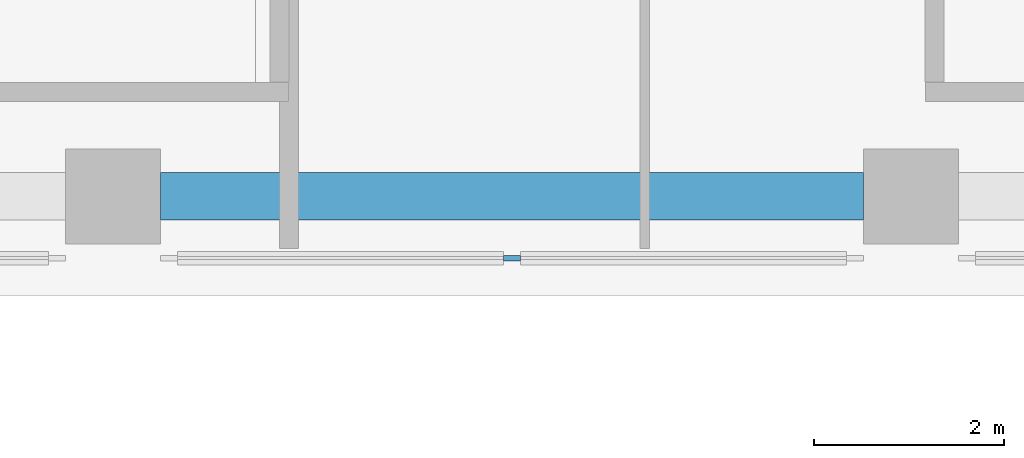
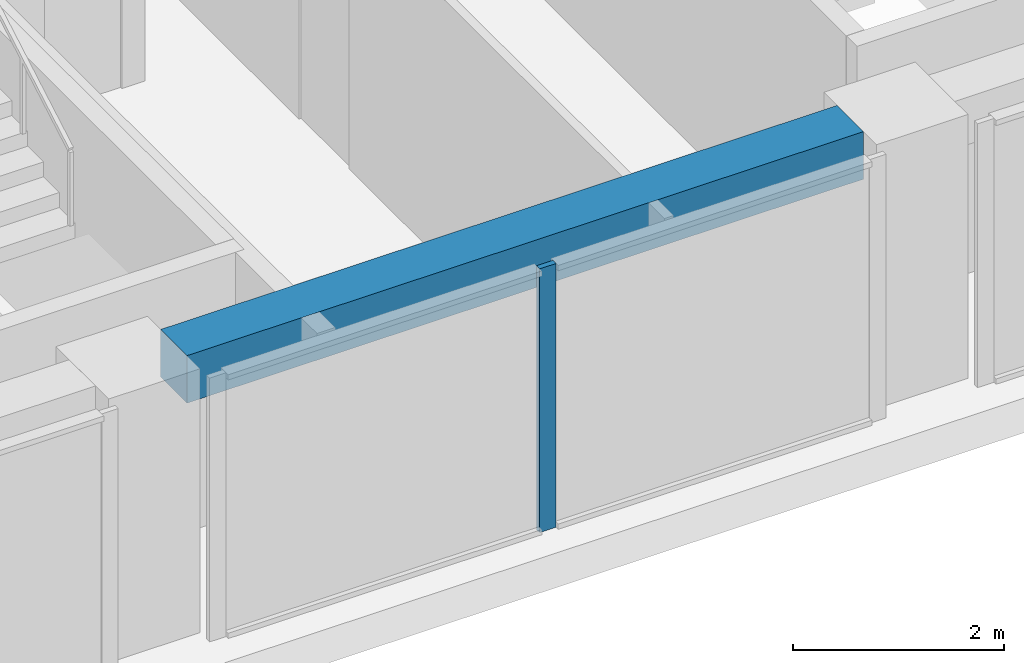
# One storey, part 3 of 16: 1 beam, 1 member, 1 element without a shape of its own.
"""IFC4 building model written with IfcOpenShell, lengths in metres."""

import ifcopenshell
import ifcopenshell.guid

model = None  # the IFC model being written
_history = None  # IfcOwnerHistory: only IFC2X3 demands one
_inside = {}  # id of a spatial element -> (the spatial element, [elements in it])
_under = {}  # id of a project, library or spatial element -> (it, [spatial elements below it])
_declared = {}  # id of a project -> (the project, [libraries it declares])
_typed = {}  # id of a type object -> (the type object, [elements of that type])
_made_of = {}  # id of a material, layer set ... -> (it, [elements and type objects made of it])


def new_model(schema):
    """Start an empty IFC model of exactly this schema.

    Asked for "IFC4X3", IfcOpenShell would pick the latest addendum, in which some entities
    have other attributes; the version numbers below select the first issue.
    IFC2X3 requires an IfcOwnerHistory on every rooted entity: one is made here for all.
    """
    global model, _history
    if schema == "IFC4X3":
        model = ifcopenshell.file(schema_version=(4, 3, 0, 0))
    else:
        model = ifcopenshell.file(schema=schema)
    _inside.clear()
    _under.clear()
    _declared.clear()
    _typed.clear()
    _made_of.clear()
    _history = None
    if model.schema == "IFC2X3":
        org = make("IfcOrganization", Name="unknown")
        user = make(
            "IfcPersonAndOrganization",
            ThePerson=make("IfcPerson", FamilyName="unknown"),
            TheOrganization=org,
        )
        app = make(
            "IfcApplication",
            ApplicationDeveloper=org,
            Version="unknown",
            ApplicationFullName="unknown",
            ApplicationIdentifier="unknown",
        )
        _history = make(
            "IfcOwnerHistory",
            OwningUser=user,
            OwningApplication=app,
            ChangeAction="ADDED",
            CreationDate=0,
        )
    return model


def make(cls, **values):
    """One entity of the class cls with the attributes given. An attribute that is None is left unset."""
    return model.create_entity(
        cls, **{name: value for name, value in values.items() if value is not None}
    )


def rooted(cls, **values):
    """An entity with a GlobalId (a new one), such as an element, a storey or a relation."""
    return make(cls, GlobalId=ifcopenshell.guid.new(), OwnerHistory=_history, **values)


def si_unit(unit_type, name, prefix=None):
    """IfcSIUnit, for example si_unit("LENGTHUNIT", "METRE", prefix="MILLI")."""
    return make("IfcSIUnit", UnitType=unit_type, Prefix=prefix, Name=name)


def assignment(units):
    """IfcUnitAssignment: the units of a project."""
    return None if units is None else make("IfcUnitAssignment", Units=units)


def point(xyz):
    """IfcCartesianPoint."""
    return None if xyz is None else make("IfcCartesianPoint", Coordinates=xyz)


def direction(xyz):
    """IfcDirection."""
    return None if xyz is None else make("IfcDirection", DirectionRatios=xyz)


def frame(location, z_axis=None, x_axis=None):
    """IfcAxis2Placement3D, a coordinate frame: its origin and axes. An axis left out is left unset."""
    return make(
        "IfcAxis2Placement3D",
        Location=point(location),
        Axis=direction(z_axis),
        RefDirection=direction(x_axis),
    )


def frame_2d(location, x_axis=None):
    """IfcAxis2Placement2D, a coordinate frame in the plane: its origin and x axis."""
    return make(
        "IfcAxis2Placement2D", Location=point(location), RefDirection=direction(x_axis)
    )


def origin():
    """The frame at (0, 0, 0) with its axes left unset."""
    return frame((0.0, 0.0, 0.0))


def origin_2d():
    """The frame at (0, 0) in the plane with its x axis left unset."""
    return frame_2d((0.0, 0.0))


def place(relative_to, where):
    """IfcLocalPlacement: puts the frame where relative to a parent placement (None: the world)."""
    return make(
        "IfcLocalPlacement", PlacementRelTo=relative_to, RelativePlacement=where
    )


def context(
    kind, dimensions, precision=None, world=None, true_north=None, identifier=None
):
    """IfcGeometricRepresentationContext, for example the 3D "Model" context."""
    return make(
        "IfcGeometricRepresentationContext",
        ContextIdentifier=identifier,
        ContextType=kind,
        CoordinateSpaceDimension=dimensions,
        Precision=precision,
        WorldCoordinateSystem=world,
        TrueNorth=true_north,
    )


def subcontext(parent, identifier, kind, view, scale=None):
    """IfcGeometricRepresentationSubContext, for example "Body" below "Model"."""
    return make(
        "IfcGeometricRepresentationSubContext",
        ContextIdentifier=identifier,
        ContextType=kind,
        ParentContext=parent,
        TargetScale=scale,
        TargetView=view,
    )


def project(units=None, contexts=None):
    """IfcProject with its units and contexts."""
    return rooted(
        "IfcProject",
        Name="project",
        RepresentationContexts=contexts,
        UnitsInContext=assignment(units),
    )


def spatial(cls, under=None, at=None, **own):
    """A site, building, storey or space (cls), placed at a placement, below another one or the project."""
    s = rooted(cls, ObjectPlacement=at, **own)
    if under is not None:
        _under.setdefault(under.id(), (under, []))[1].append(s)
    return s


def profile(cls, at=None, kind="AREA", **sizes):
    """A parametric profile (cls). Its sizes go by their IFC names, for example OverallWidth=200.0."""
    return make(cls, ProfileType=kind, Position=at, **sizes)


def rectangle(**sizes):
    """IfcRectangleProfileDef."""
    return profile("IfcRectangleProfileDef", **sizes)


def extrude(swept, where, along, depth):
    """IfcExtrudedAreaSolid: the profile swept, set in the frame where, extruded along a direction by depth."""
    return make(
        "IfcExtrudedAreaSolid",
        SweptArea=swept,
        Position=where,
        ExtrudedDirection=direction(along),
        Depth=depth,
    )


def shape(context_of_items, identifier, shape_type, items):
    """IfcShapeRepresentation: the items that make up one representation, for example the "Body"."""
    return make(
        "IfcShapeRepresentation",
        ContextOfItems=context_of_items,
        RepresentationIdentifier=identifier,
        RepresentationType=shape_type,
        Items=items,
    )


def material(Name=None, Category=None):
    """IfcMaterial."""
    return make("IfcMaterial", Name=Name, Category=Category)


def material_profile(
    of_material, cross_section, Name=None, Category=None, Priority=None
):
    """IfcMaterialProfile: a cross section and its material."""
    return make(
        "IfcMaterialProfile",
        Name=Name,
        Material=of_material,
        Profile=cross_section,
        Priority=Priority,
        Category=Category,
    )


def profile_set(profiles, Name=None, composite=None):
    """IfcMaterialProfileSet."""
    return make(
        "IfcMaterialProfileSet",
        Name=Name,
        MaterialProfiles=profiles,
        CompositeProfile=composite,
    )


def made_of(thing, what):
    """Note that an element or type object is made of a material, layer set ...; save() writes the relation."""
    if what is not None:
        _made_of.setdefault(what.id(), (what, []))[1].append(thing)
    return thing


def type_object(cls, material=None, **own):
    """A type object (cls), such as IfcWallType, which elements share."""
    return made_of(rooted(cls, **own), material)


def element(
    cls,
    number,
    at=None,
    inside=None,
    cuts=None,
    type_object=None,
    material=None,
    context=None,
    identifier="Body",
    shape_type=None,
    held_by="IfcProductDefinitionShape",
    body=None,
    shapes=None,
    **own,
):
    """One element of the class cls, such as IfcWall. Its Tag is "e" and its number.

    at: its placement. inside: the storey or other place that contains it. cuts: it is an
    opening in that element (IfcRelVoidsElement). A single representation is given by context,
    identifier, shape_type and body (its items); several are given by shapes. held_by: the class
    of the entity that holds the representations. save() writes the other relations.
    """
    e = rooted(cls, Tag="e%d" % number, ObjectPlacement=at, **own)
    if body is not None:
        shapes = [shape(context, identifier, shape_type, body)]
    if shapes is not None:
        e.Representation = make(held_by, Representations=shapes)
    if inside is not None:
        _inside.setdefault(inside.id(), (inside, []))[1].append(e)
    if cuts is not None:
        rooted(
            "IfcRelVoidsElement", RelatingBuildingElement=cuts, RelatedOpeningElement=e
        )
    if type_object is not None:
        _typed.setdefault(type_object.id(), (type_object, []))[1].append(e)
    return made_of(e, material)


def aggregate(whole, parts):
    """IfcRelAggregates: a whole, such as a stair, and the parts it consists of."""
    return rooted("IfcRelAggregates", RelatingObject=whole, RelatedObjects=parts)


def save(model, path):
    """Write the relations noted so far, then the file.

    IfcRelAggregates (storeys below a building ...), IfcRelContainedInSpatialStructure (elements
    in a storey), IfcRelDefinesByType, IfcRelAssociatesMaterial and IfcRelDeclares: one each for
    every whole, place, type object, material and project.
    """
    for whole, parts in _under.values():
        aggregate(whole, parts)
    for where, things in _inside.values():
        rooted(
            "IfcRelContainedInSpatialStructure",
            RelatedElements=things,
            RelatingStructure=where,
        )
    for kind, things in _typed.values():
        rooted("IfcRelDefinesByType", RelatedObjects=things, RelatingType=kind)
    for what, things in _made_of.values():
        rooted("IfcRelAssociatesMaterial", RelatedObjects=things, RelatingMaterial=what)
    for by, libraries in _declared.values():
        rooted("IfcRelDeclares", RelatingContext=by, RelatedDefinitions=libraries)
    model.write(path)


model = new_model("IFC4")

# Units and contexts
model_context = context("Model", 3, precision=1e-05, world=origin(), true_north=direction((0.0, 1.0)))
body_context = subcontext(model_context, "Body", "Model", "MODEL_VIEW")
ifc_project = project(units=[si_unit("LENGTHUNIT", "METRE"), si_unit("AREAUNIT", "SQUARE_METRE"), si_unit("VOLUMEUNIT", "CUBIC_METRE"), si_unit("PLANEANGLEUNIT", "RADIAN"), si_unit("MASSUNIT", "GRAM", prefix="KILO")], contexts=[model_context])

# Site, building, storey
site_placement = place(None, origin())
site = spatial("IfcSite", under=ifc_project, at=site_placement, CompositionType="ELEMENT")
building_placement = place(site_placement, origin())
building = spatial("IfcBuilding", under=site, at=building_placement, Name="Vermilion Ogive Tower", CompositionType="ELEMENT")
storey_placement = place(building_placement, frame((0.0, 0.0, 179.0)))
storey = spatial("IfcBuildingStorey", under=building, at=storey_placement, Name="L46", CompositionType="ELEMENT", Elevation=179.0)

# Curtain wall, member
ifc_material_1 = material(Name="Low-iron laminated glazing in aluminium frame", Category="aluminium")
curtain_wall_type = type_object("IfcCurtainWallType", Name="Curtain wall CW7", PredefinedType="NOTDEFINED", material=ifc_material_1)
curtain_wall_placement = place(storey_placement, origin())
curtain_wall = element("IfcCurtainWall", 1, at=curtain_wall_placement, inside=storey, type_object=curtain_wall_type, Name="Glazed skin S3", PredefinedType="NOTDEFINED")
ifc_material_2 = material(Name="Aluminium mullion", Category="aluminium")
ifc_material_profile_1 = material_profile(ifc_material_2, rectangle(XDim=0.06005859375, YDim=0.179931640625, at=origin_2d()), Name="AL 60x180")
ifc_profile_set_1 = profile_set([ifc_material_profile_1], Name="Aluminium mullion")
member_type = type_object("IfcMemberType", Name="CW7 mullion 60x180", PredefinedType="MULLION", material=ifc_profile_set_1)
member_placement = place(storey_placement, frame((4.199951171875, -21.64990234375, 0.0), z_axis=(0.0, 0.0, 1.0), x_axis=(0.0, 1.0, 0.0)))
member = element("IfcMember", 2, at=member_placement, type_object=member_type, Name="CW7-S3 mullion 2", PredefinedType="MULLION", context=body_context, shape_type="SweptSolid", body=[
    extrude(rectangle(XDim=0.06005859375, YDim=0.179931640625, at=origin_2d()), origin(), (0.0, 0.0, 1.0), 3.050048828125),
])
aggregate(curtain_wall, [member])

# Beam
ifc_material_3 = material(Name="Concrete B45", Category="concrete")
ifc_material_profile_2 = material_profile(ifc_material_3, rectangle(XDim=0.5, YDim=0.550048828125, at=origin_2d()), Name="500 x 550")
ifc_profile_set_2 = profile_set([ifc_material_profile_2], Name="Concrete B45")
beam_type = type_object("IfcBeamType", Name="Edge beam 500 x 550 B45", PredefinedType="BEAM", material=ifc_profile_set_2)
beam_placement = place(storey_placement, frame((0.5, -21.0, 2.77490234375), z_axis=(1.0, 0.0, 0.0), x_axis=(0.0, 1.0, 0.0)))
element("IfcBeam", 3, at=beam_placement, inside=storey, type_object=beam_type, Name="L46-EB-3", PredefinedType="BEAM", context=body_context, shape_type="SweptSolid", body=[
    extrude(rectangle(XDim=0.5, YDim=0.550048828125, at=origin_2d()), origin(), (0.0, 0.0, 1.0), 7.39990234375),
])

save(model, "model.ifc")
